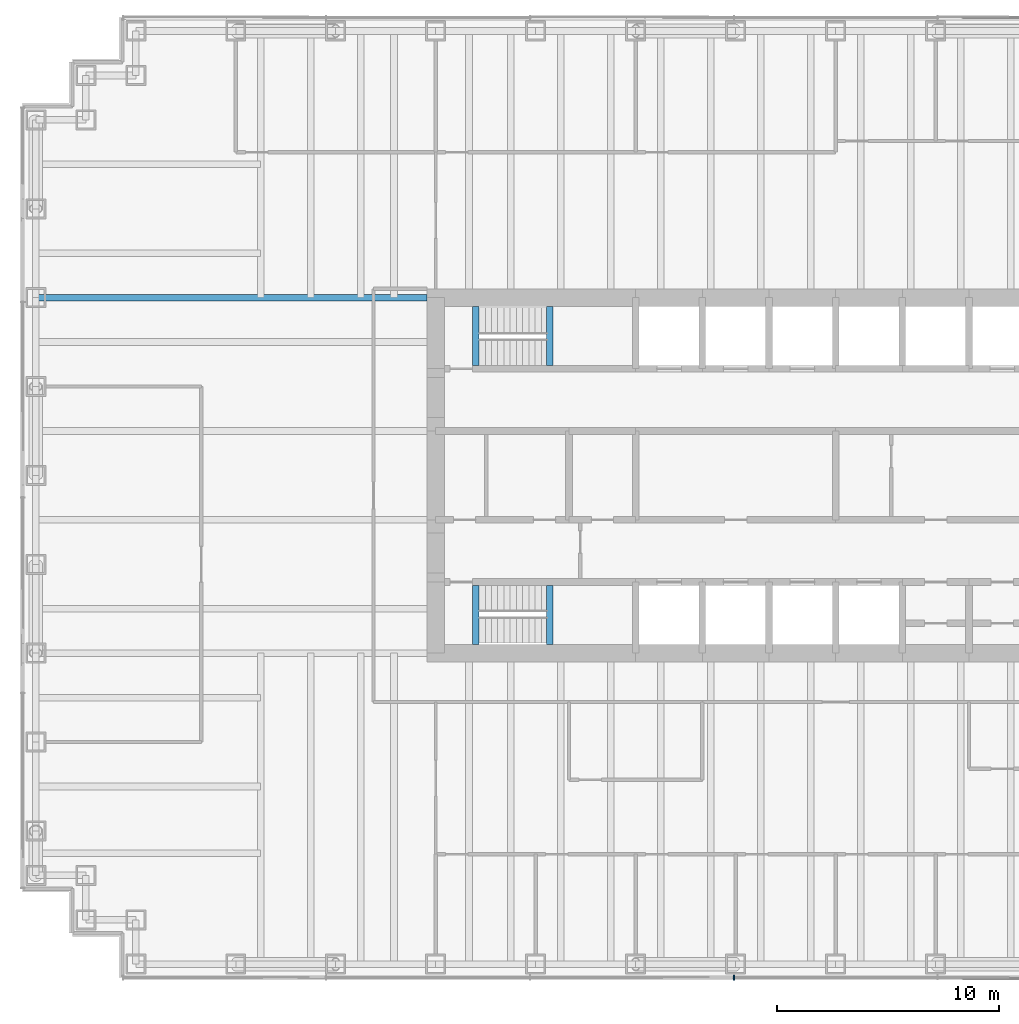
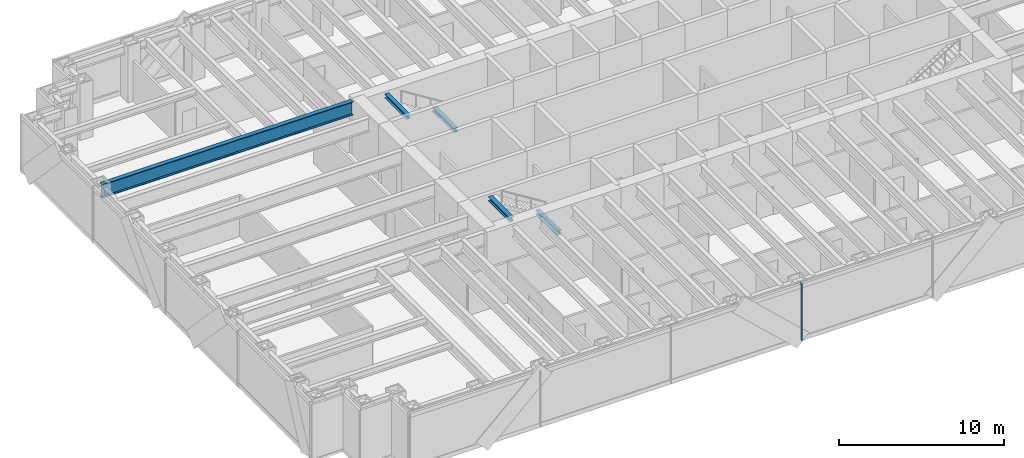
# One storey, part 3 of 16: 5 beams, 1 member, 1 element without a shape of its own.
"""IFC4 building model written with IfcOpenShell, lengths in metres."""

from ifc_helpers import new_model, si_unit, direction, frame, origin, origin_2d, place, context, subcontext, project, spatial, rectangle, i_section, extrude, material, material_profile, profile_set, type_object, element, aggregate, save


model = new_model("IFC4")

# Units and contexts
model_context = context("Model", 3, precision=1e-05, world=origin(), true_north=direction((0.0, 1.0)))
body_context = subcontext(model_context, "Body", "Model", "MODEL_VIEW")
ifc_project = project(units=[si_unit("LENGTHUNIT", "METRE"), si_unit("AREAUNIT", "SQUARE_METRE"), si_unit("VOLUMEUNIT", "CUBIC_METRE"), si_unit("PLANEANGLEUNIT", "RADIAN"), si_unit("MASSUNIT", "GRAM", prefix="KILO")], contexts=[model_context])

# Site, building, storey
site_placement = place(None, origin())
site = spatial("IfcSite", under=ifc_project, at=site_placement, CompositionType="ELEMENT")
building_placement = place(site_placement, origin())
building = spatial("IfcBuilding", under=site, at=building_placement, Name="Rheinbord Bourse Tower", CompositionType="ELEMENT")
storey_placement = place(building_placement, frame((0.0, 0.0, 219.39990234375)))
storey = spatial("IfcBuildingStorey", under=building, at=storey_placement, Name="L49", CompositionType="ELEMENT", Elevation=219.39990234375)

# Curtain wall, member
ifc_material_1 = material(Name="Dark glass and black aluminium", Category="aluminium")
curtain_wall_type = type_object("IfcCurtainWallType", Name="CW2 DARK GLASS CURTAIN WALL", PredefinedType="USERDEFINED", material=ifc_material_1)
curtain_wall_placement = place(storey_placement, origin())
curtain_wall = element("IfcCurtainWall", 1, at=curtain_wall_placement, inside=storey, type_object=curtain_wall_type, Name="Curtain wall CW2 S L49", ObjectType="UNITISED CURTAIN WALL", PredefinedType="USERDEFINED")
ifc_material_2 = material(Name="Black anodised aluminium", Category="aluminium")
ifc_material_profile_1 = material_profile(ifc_material_2, rectangle(XDim=0.219970703125, YDim=0.070068359375, at=origin_2d()), Name="CW2 MULLION 70x220")
ifc_profile_set_1 = profile_set([ifc_material_profile_1], Name="Black anodised aluminium")
member_type = type_object("IfcMemberType", Name="CW2 BLACK MULLION", PredefinedType="MULLION", material=ifc_profile_set_1)
member_placement = place(storey_placement, frame((31.414306640625, 1.39990234375, 0.0), z_axis=(0.0, 0.0, 1.0), x_axis=(0.0, 1.0, 0.0)))
member = element("IfcMember", 2, at=member_placement, type_object=member_type, Name="CW2 mullion 4", PredefinedType="MULLION", context=body_context, shape_type="SweptSolid", body=[
    extrude(rectangle(XDim=0.219970703125, YDim=0.070068359375, at=origin_2d()), origin(), (0.0, 0.0, 1.0), 4.2001953125),
])
aggregate(curtain_wall, [member])

# Beams
ifc_material_3 = material(Name="Steel S460", Category="steel")
ifc_material_profile_2 = material_profile(ifc_material_3, i_section(OverallWidth=0.302001953125, OverallDepth=1.008056640625, WebThickness=0.02099609375, FlangeThickness=0.0400390625, at=origin_2d()), Name="HEM 1000")
ifc_profile_set_2 = profile_set([ifc_material_profile_2], Name="Steel S460")
beam_type_1 = type_object("IfcBeamType", Name="GIRDER HEM 1000", PredefinedType="BEAM", material=ifc_profile_set_2)
beam_placement = place(storey_placement, frame((0.0, 32.0, 3.5361328125), z_axis=(1.0, 0.0, 0.0), x_axis=(0.0, 1.0, 0.0)))
element("IfcBeam", 3, at=beam_placement, inside=storey, type_object=beam_type_1, Name="Girder west 32 L50", PredefinedType="BEAM", context=body_context, shape_type="SweptSolid", body=[
    extrude(i_section(OverallWidth=0.302001953125, OverallDepth=1.008056640625, WebThickness=0.02099609375, FlangeThickness=0.0400390625, at=origin_2d()), origin(), (0.0, 0.0, 1.0), 17.60009765625),
])
ifc_material_4 = material(Name="Steel S460", Category="steel")
ifc_material_profile_3 = material_profile(ifc_material_4, i_section(OverallWidth=0.300048828125, OverallDepth=0.300048828125, WebThickness=0.010986328125, FlangeThickness=0.01904296875, at=origin_2d()), Name="HEB 300")
ifc_profile_set_3 = profile_set([ifc_material_profile_3], Name="Steel S460")
beam_type_2 = type_object("IfcBeamType", Name="LANDING TRIMMER HEB 300", PredefinedType="BEAM", material=ifc_profile_set_3)
for number, where, z_axis, x_axis, name in (
    (4, (23.1298828125, 16.39990234375, 1.75), (0.0, 1.0, 0.0), (-1.0, 0.0, 0.0), "Landing trimmer ST1 L49"),
    (5, (19.800048828125, 16.39990234375, 3.89013671875), (0.0, 1.0, 0.0), (-1.0, 0.0, 0.0), "Well trimmer ST1 under L50"),
    (6, (23.1298828125, 28.949951171875, 1.75), (0.0, 1.0, 0.0), (-1.0, 0.0, 0.0), "Landing trimmer ST2 L49"),
    (7, (19.800048828125, 28.949951171875, 3.89013671875), (0.0, 1.0, 0.0), (-1.0, 0.0, 0.0), "Well trimmer ST2 under L50"),
):
    element("IfcBeam", number, at=place(storey_placement, frame(where, z_axis=z_axis, x_axis=x_axis)), inside=storey, type_object=beam_type_2, Name=name, PredefinedType="BEAM", context=body_context, shape_type="SweptSolid", body=[
        extrude(i_section(OverallWidth=0.300048828125, OverallDepth=0.300048828125, WebThickness=0.010986328125, FlangeThickness=0.01904296875, at=origin_2d()), origin(), (0.0, 0.0, 1.0), 2.650146484375),
    ])

save(model, "model.ifc")
